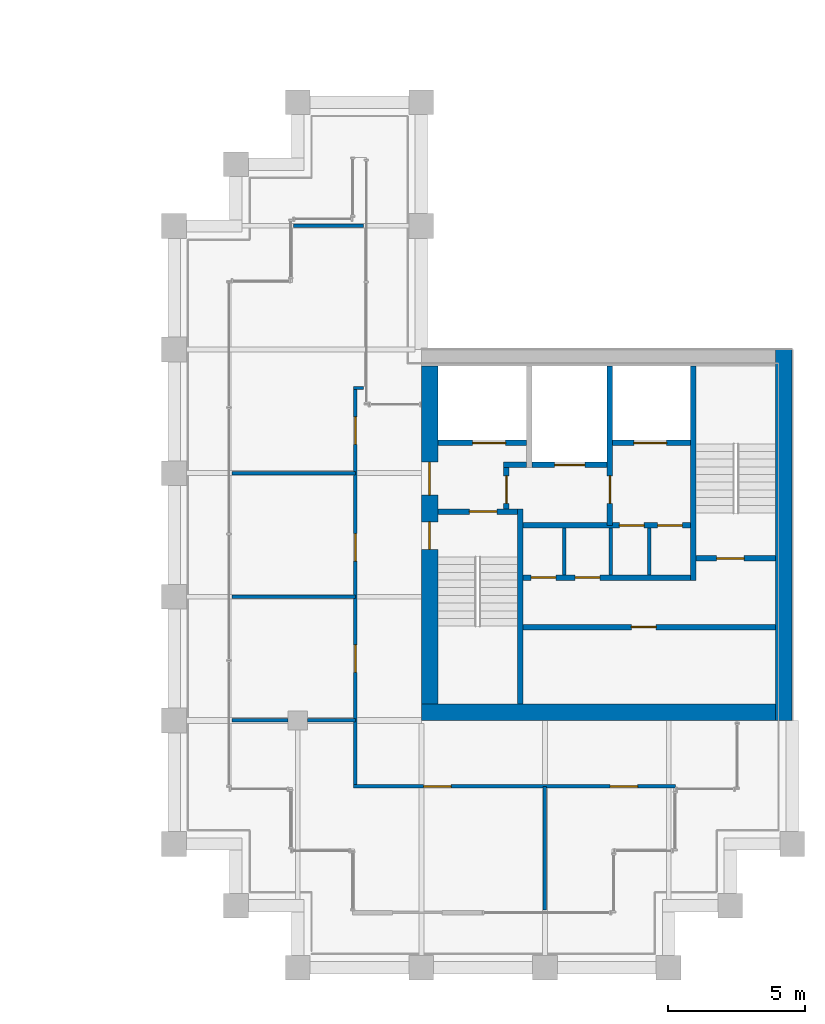
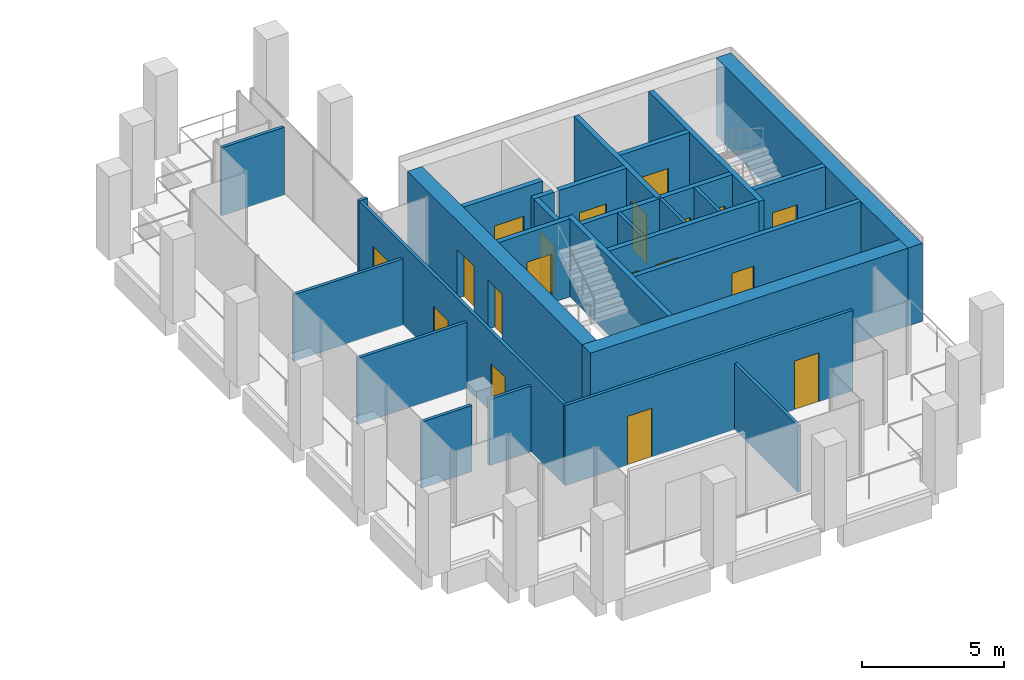
# One storey, part 38 of 40: 28 walls, 19 doors, 19 openings.
"""IFC4 building model written with IfcOpenShell, lengths in metres."""

from ifc_helpers import new_model, si_unit, direction, frame, frame_2d, origin, place, context, subcontext, project, spatial, rectangle, extrude, material, layer, layer_set, type_object, element, fill, save


model = new_model("IFC4")

# Units and contexts
model_context = context("Model", 3, precision=1e-05, world=origin(), true_north=direction((0.0, 1.0)))
body_context = subcontext(model_context, "Body", "Model", "MODEL_VIEW")
ifc_project = project(units=[si_unit("LENGTHUNIT", "METRE"), si_unit("AREAUNIT", "SQUARE_METRE"), si_unit("VOLUMEUNIT", "CUBIC_METRE"), si_unit("PLANEANGLEUNIT", "RADIAN"), si_unit("MASSUNIT", "GRAM", prefix="KILO")], contexts=[model_context])

# Site, building, storey
site_placement = place(None, origin())
site = spatial("IfcSite", under=ifc_project, at=site_placement, CompositionType="ELEMENT")
building_placement = place(site_placement, origin())
building = spatial("IfcBuilding", under=site, at=building_placement, Name="Altepetl Exchange Towers", CompositionType="ELEMENT")
storey_placement = place(building_placement, frame((0.0, 0.0, 179.800048828125)))
storey = spatial("IfcBuildingStorey", under=building, at=storey_placement, Name="L45", CompositionType="ELEMENT", Elevation=179.800048828125)

# Wall
ifc_material_1 = material(Name="Concrete C70/85", Category="concrete")
ifc_layer_1 = layer(ifc_material_1, 0.60009765625)
ifc_layer_set_1 = layer_set([ifc_layer_1], Name="Concrete C70/85")
wall_type_1 = type_object("IfcWallType", Name="Core wall 600 reinforced concrete", PredefinedType="SHEAR", material=ifc_layer_set_1)
wall_1_placement = place(storey_placement, frame((103.5, 36.300048828125, 0.0)))
element("IfcWall", 1, at=wall_1_placement, inside=storey, type_object=wall_type_1, Name="wall:B:L45:K-coreS", PredefinedType="SHEAR", context=body_context, shape_type="SweptSolid", body=[
    extrude(rectangle(XDim=12.89990234375, YDim=0.60009765625, at=frame_2d((6.449951171875, 0.0))), origin(), (0.0, 0.0, 1.0), 3.349853515625),
])

# Wall, openings, doors
wall_2_placement = place(storey_placement, frame((103.800048828125, 36.60009765625, 0.0), z_axis=(0.0, 0.0, 1.0), x_axis=(0.0, 1.0, 0.0)))
wall_2 = element("IfcWall", 2, at=wall_2_placement, inside=storey, type_object=wall_type_1, Name="wall:B:L45:K-coreW", PredefinedType="SHEAR", context=body_context, shape_type="SweptSolid", body=[
    extrude(rectangle(XDim=12.2998046875, YDim=0.60009765625, at=frame_2d((6.14990234375, 0.0))), origin(), (0.0, 0.0, 1.0), 3.349853515625),
])
opening_1_placement = place(wall_2_placement, frame((7.60009765625, 0.0, 0.0)))
opening_1 = element("IfcOpeningElement", 3, at=opening_1_placement, cuts=wall_2, Name="Opening L45.B60", PredefinedType="OPENING", context=body_context, shape_type="SweptSolid", body=[
    extrude(rectangle(XDim=1.199951171875, YDim=2.10009765625, at=frame_2d((0.60009765625, 1.050048828125))), frame((0.0, 0.31005859375, 0.0), z_axis=(0.0, -1.0, 0.0), x_axis=(1.0, 0.0, 0.0)), (0.0, 0.0, 1.0), 0.6201171875),
])
opening_2_placement = place(wall_2_placement, frame((5.625, 0.0, 0.0)))
opening_2 = element("IfcOpeningElement", 4, at=opening_2_placement, cuts=wall_2, Name="Opening L45.B62", PredefinedType="OPENING", context=body_context, shape_type="SweptSolid", body=[
    extrude(rectangle(XDim=1.0, YDim=2.10009765625, at=frame_2d((0.5, 1.050048828125))), frame((0.0, 0.31005859375, 0.0), z_axis=(0.0, -1.0, 0.0), x_axis=(1.0, 0.0, 0.0)), (0.0, 0.0, 1.0), 0.6201171875),
])
ifc_material_2 = material(Name="Steel and timber fire door", Category="steel")
door_type_1 = type_object("IfcDoorType", Name="Fire door 1000 x 2100 stair and lobby", OperationType="SINGLE_SWING_LEFT", PredefinedType="DOOR", material=ifc_material_2)
door_1_placement = place(opening_2_placement, frame((1.0, 0.0, 0.0), x_axis=(-1.0, 0.0, 0.0)))
door_1 = element("IfcDoor", 5, at=door_1_placement, inside=storey, type_object=door_type_1, Name="door:B:L45:K-dS1x", OperationType="SINGLE_SWING_RIGHT", OverallHeight=2.10009765625, OverallWidth=1.0, PredefinedType="DOOR", context=body_context, shape_type="SweptSolid", body=[
    extrude(rectangle(XDim=1.0, YDim=2.10009765625, at=frame_2d((0.5, 1.050048828125))), frame((0.0, 0.02490234375, 0.0), z_axis=(0.0, -1.0, 0.0), x_axis=(1.0, 0.0, 0.0)), (0.0, 0.0, 1.0), 0.050048828125),
])
fill(opening_2, door_1)
door_type_2 = type_object("IfcDoorType", Name="Fire door 1200 x 2100 lobby entry", OperationType="SINGLE_SWING_LEFT", PredefinedType="DOOR", material=ifc_material_2)
door_2_placement = place(opening_1_placement, frame((1.199951171875, 0.0, 0.0), x_axis=(-1.0, 0.0, 0.0)))
door_2 = element("IfcDoor", 6, at=door_2_placement, inside=storey, type_object=door_type_2, Name="door:B:L45:K-dLNW", OperationType="SINGLE_SWING_RIGHT", OverallHeight=2.10009765625, OverallWidth=1.199951171875, PredefinedType="DOOR", context=body_context, shape_type="SweptSolid", body=[
    extrude(rectangle(XDim=1.199951171875, YDim=2.10009765625, at=frame_2d((0.60009765625, 1.050048828125))), frame((0.0, 0.02490234375, 0.0), z_axis=(0.0, -1.0, 0.0), x_axis=(1.0, 0.0, 0.0)), (0.0, 0.0, 1.0), 0.050048828125),
])
fill(opening_1, door_2)

# Walls
ifc_layer_2 = layer(ifc_material_1, 0.60009765625)
ifc_layer_set_2 = layer_set([ifc_layer_2], Name="Concrete C70/85")
wall_type_2 = type_object("IfcWallType", Name="Core wall 600 reinforced concrete external", PredefinedType="SHEAR", material=ifc_layer_set_2)
wall_3_placement = place(storey_placement, frame((116.699951171875, 36.0, 0.0), z_axis=(0.0, 0.0, 1.0), x_axis=(0.0, 1.0, 0.0)))
element("IfcWall", 7, at=wall_3_placement, inside=storey, type_object=wall_type_2, Name="wall:B:L45:K-coreE", PredefinedType="SHEAR", context=body_context, shape_type="SweptSolid", body=[
    extrude(rectangle(XDim=13.5, YDim=0.60009765625, at=frame_2d((6.75, 0.0))), origin(), (0.0, 0.0, 1.0), 3.349853515625),
])
ifc_material_3 = material(Name="Concrete blockwork", Category="masonry")
ifc_layer_3 = layer(ifc_material_3, 0.199951171875)
ifc_layer_set_3 = layer_set([ifc_layer_3], Name="Concrete blockwork")
wall_type_3 = type_object("IfcWallType", Name="Lobby wall 200 blockwork", PredefinedType="PARTITIONING", material=ifc_layer_set_3)
wall_4_placement = place(storey_placement, frame((106.5, 45.300048828125, 0.0)))
element("IfcWall", 8, at=wall_4_placement, inside=storey, type_object=wall_type_3, Name="wall:B:L45:K-ffNw", PredefinedType="PARTITIONING", context=body_context, shape_type="SweptSolid", body=[
    extrude(rectangle(XDim=0.833251953125, YDim=0.199951171875, at=frame_2d((0.41650390625, 0.0))), origin(), (0.0, 0.0, 1.0), 3.349853515625),
])

# Wall, opening, door
wall_5_placement = place(storey_placement, frame((106.60009765625, 43.699951171875, 0.0), z_axis=(0.0, 0.0, 1.0), x_axis=(0.0, 1.0, 0.0)))
wall_5 = element("IfcWall", 9, at=wall_5_placement, inside=storey, type_object=wall_type_3, Name="wall:B:L45:K-ffW", PredefinedType="PARTITIONING", context=body_context, shape_type="SweptSolid", body=[
    extrude(rectangle(XDim=1.5, YDim=0.199951171875, at=frame_2d((0.75, 0.0))), origin(), (0.0, 0.0, 1.0), 3.349853515625),
])
opening_3_placement = place(wall_5_placement, frame((0.199951171875, 0.0, 0.0)))
opening_3 = element("IfcOpeningElement", 10, at=opening_3_placement, cuts=wall_5, Name="Opening L45.B65", PredefinedType="OPENING", context=body_context, shape_type="SweptSolid", body=[
    extrude(rectangle(XDim=1.0, YDim=2.10009765625, at=frame_2d((0.5, 1.050048828125))), frame((0.0, 0.10986328125, 0.0), z_axis=(0.0, -1.0, 0.0), x_axis=(1.0, 0.0, 0.0)), (0.0, 0.0, 1.0), 0.219970703125),
])
door_3_placement = place(opening_3_placement, frame((1.0, 0.0, 0.0), x_axis=(-1.0, 0.0, 0.0)))
door_3 = element("IfcDoor", 11, at=door_3_placement, inside=storey, type_object=door_type_1, Name="door:B:L45:K-dffW", OperationType="SINGLE_SWING_LEFT", OverallHeight=2.10009765625, OverallWidth=1.0, PredefinedType="DOOR", context=body_context, shape_type="SweptSolid", body=[
    extrude(rectangle(XDim=1.0, YDim=2.10009765625, at=frame_2d((0.5, 1.050048828125))), frame((0.0, 0.02490234375, 0.0), z_axis=(0.0, -1.0, 0.0), x_axis=(1.0, 0.0, 0.0)), (0.0, 0.0, 1.0), 0.050048828125),
])
fill(opening_3, door_3)

# Wall, openings, doors
wall_6_placement = place(storey_placement, frame((107.199951171875, 43.10009765625, 0.0)))
wall_6 = element("IfcWall", 12, at=wall_6_placement, inside=storey, type_object=wall_type_3, Name="wall:B:L45:K-zoneN", PredefinedType="PARTITIONING", context=body_context, shape_type="SweptSolid", body=[
    extrude(rectangle(XDim=6.10009765625, YDim=0.199951171875, at=frame_2d((3.050048828125, 0.0))), origin(), (0.0, 0.0, 1.0), 3.349853515625),
])
opening_4_placement = place(wall_6_placement, frame((3.508544921875, 0.0, 0.0)))
opening_4 = element("IfcOpeningElement", 13, at=opening_4_placement, cuts=wall_6, Name="Opening L45.B69", PredefinedType="OPENING", context=body_context, shape_type="SweptSolid", body=[
    extrude(rectangle(XDim=0.89990234375, YDim=2.10009765625, at=frame_2d((0.449951171875, 1.050048828125))), frame((0.0, 0.10986328125, 0.0), z_axis=(0.0, -1.0, 0.0), x_axis=(1.0, 0.0, 0.0)), (0.0, 0.0, 1.0), 0.219970703125),
])
opening_5_placement = place(wall_6_placement, frame((4.89990234375, 0.0, 0.0)))
opening_5 = element("IfcOpeningElement", 14, at=opening_5_placement, cuts=wall_6, Name="Opening L45.B70", PredefinedType="OPENING", context=body_context, shape_type="SweptSolid", body=[
    extrude(rectangle(XDim=0.89990234375, YDim=2.10009765625, at=frame_2d((0.449951171875, 1.050048828125))), frame((0.0, 0.10986328125, 0.0), z_axis=(0.0, -1.0, 0.0), x_axis=(1.0, 0.0, 0.0)), (0.0, 0.0, 1.0), 0.219970703125),
])
door_type_3 = type_object("IfcDoorType", Name="Fire door 900 x 2100 service room", OperationType="SINGLE_SWING_LEFT", PredefinedType="DOOR", material=ifc_material_2)
door_4_placement = place(opening_4_placement, frame((0.89990234375, 0.0, 0.0), x_axis=(-1.0, 0.0, 0.0)))
door_4 = element("IfcDoor", 15, at=door_4_placement, inside=storey, type_object=door_type_3, Name="door:B:L45:K-dz3", OperationType="SINGLE_SWING_RIGHT", OverallHeight=2.10009765625, OverallWidth=0.89990234375, PredefinedType="DOOR", context=body_context, shape_type="SweptSolid", body=[
    extrude(rectangle(XDim=0.89990234375, YDim=2.10009765625, at=frame_2d((0.449951171875, 1.050048828125))), frame((0.0, 0.02490234375, 0.0), z_axis=(0.0, -1.0, 0.0), x_axis=(1.0, 0.0, 0.0)), (0.0, 0.0, 1.0), 0.050048828125),
])
fill(opening_4, door_4)
door_5_placement = place(opening_5_placement, frame((0.89990234375, 0.0, 0.0), x_axis=(-1.0, 0.0, 0.0)))
door_5 = element("IfcDoor", 16, at=door_5_placement, inside=storey, type_object=door_type_3, Name="door:B:L45:K-dz4", OperationType="SINGLE_SWING_LEFT", OverallHeight=2.10009765625, OverallWidth=0.89990234375, PredefinedType="DOOR", context=body_context, shape_type="SweptSolid", body=[
    extrude(rectangle(XDim=0.89990234375, YDim=2.10009765625, at=frame_2d((0.449951171875, 1.050048828125))), frame((0.0, 0.02490234375, 0.0), z_axis=(0.0, -1.0, 0.0), x_axis=(1.0, 0.0, 0.0)), (0.0, 0.0, 1.0), 0.050048828125),
])
fill(opening_5, door_5)

wall_7_placement = place(storey_placement, frame((107.199951171875, 41.199951171875, 0.0)))
wall_7 = element("IfcWall", 17, at=wall_7_placement, inside=storey, type_object=wall_type_3, Name="wall:B:L45:K-zoneS", PredefinedType="PARTITIONING", context=body_context, shape_type="SweptSolid", body=[
    extrude(rectangle(XDim=6.10009765625, YDim=0.199951171875, at=frame_2d((3.050048828125, 0.0))), origin(), (0.0, 0.0, 1.0), 3.349853515625),
])
opening_6_placement = place(wall_7_placement, frame((0.300048828125, 0.0, 0.0)))
opening_6 = element("IfcOpeningElement", 18, at=opening_6_placement, cuts=wall_7, Name="Opening L45.B67", PredefinedType="OPENING", context=body_context, shape_type="SweptSolid", body=[
    extrude(rectangle(XDim=0.89990234375, YDim=2.10009765625, at=frame_2d((0.449951171875, 1.050048828125))), frame((0.0, 0.10986328125, 0.0), z_axis=(0.0, -1.0, 0.0), x_axis=(1.0, 0.0, 0.0)), (0.0, 0.0, 1.0), 0.219970703125),
])
opening_7_placement = place(wall_7_placement, frame((1.89990234375, 0.0, 0.0)))
opening_7 = element("IfcOpeningElement", 19, at=opening_7_placement, cuts=wall_7, Name="Opening L45.B68", PredefinedType="OPENING", context=body_context, shape_type="SweptSolid", body=[
    extrude(rectangle(XDim=0.89990234375, YDim=2.10009765625, at=frame_2d((0.449951171875, 1.050048828125))), frame((0.0, 0.10986328125, 0.0), z_axis=(0.0, -1.0, 0.0), x_axis=(1.0, 0.0, 0.0)), (0.0, 0.0, 1.0), 0.219970703125),
])
door_6_placement = place(opening_6_placement, origin())
door_6 = element("IfcDoor", 20, at=door_6_placement, inside=storey, type_object=door_type_3, Name="door:B:L45:K-dz1", OperationType="SINGLE_SWING_RIGHT", OverallHeight=2.10009765625, OverallWidth=0.89990234375, PredefinedType="DOOR", context=body_context, shape_type="SweptSolid", body=[
    extrude(rectangle(XDim=0.89990234375, YDim=2.10009765625, at=frame_2d((0.449951171875, 1.050048828125))), frame((0.0, 0.02490234375, 0.0), z_axis=(0.0, -1.0, 0.0), x_axis=(1.0, 0.0, 0.0)), (0.0, 0.0, 1.0), 0.050048828125),
])
fill(opening_6, door_6)
door_7_placement = place(opening_7_placement, origin())
door_7 = element("IfcDoor", 21, at=door_7_placement, inside=storey, type_object=door_type_3, Name="door:B:L45:K-dz2", OperationType="SINGLE_SWING_RIGHT", OverallHeight=2.10009765625, OverallWidth=0.89990234375, PredefinedType="DOOR", context=body_context, shape_type="SweptSolid", body=[
    extrude(rectangle(XDim=0.89990234375, YDim=2.10009765625, at=frame_2d((0.449951171875, 1.050048828125))), frame((0.0, 0.02490234375, 0.0), z_axis=(0.0, -1.0, 0.0), x_axis=(1.0, 0.0, 0.0)), (0.0, 0.0, 1.0), 0.050048828125),
])
fill(opening_7, door_7)

# Walls
ifc_material_4 = material(Name="Gypsum board on steel studs", Category="steel")
ifc_layer_4 = layer(ifc_material_4, 0.125)
ifc_layer_set_4 = layer_set([ifc_layer_4], Name="Gypsum board on steel studs")
wall_type_4 = type_object("IfcWallType", Name="Partition 125 gypsum board on steel studs", PredefinedType="PARTITIONING", material=ifc_layer_set_4)
for number, where, z_axis, x_axis, name in (
    (22, (108.699951171875, 41.300048828125, 0.0), (0.0, 0.0, 1.0), (0.0, 1.0, 0.0), "wall:B:L45:K-zp1"),
    (23, (110.39990234375, 41.300048828125, 0.0), (0.0, 0.0, 1.0), (0.0, 1.0, 0.0), "wall:B:L45:K-zp2"),
    (24, (111.800048828125, 41.300048828125, 0.0), (0.0, 0.0, 1.0), (0.0, 1.0, 0.0), "wall:B:L45:K-zp3"),
):
    element("IfcWall", number, at=place(storey_placement, frame(where, z_axis=z_axis, x_axis=x_axis)), inside=storey, type_object=wall_type_4, Name=name, PredefinedType="PARTITIONING", context=body_context, shape_type="SweptSolid", body=[
        extrude(rectangle(XDim=1.699951171875, YDim=0.125, at=frame_2d((0.85009765625, 0.0))), origin(), (0.0, 0.0, 1.0), 3.349853515625),
    ])

# Wall, openings, doors
wall_8_placement = place(storey_placement, frame((101.03759765625, 33.60009765625, 0.0)))
wall_8 = element("IfcWall", 25, at=wall_8_placement, inside=storey, type_object=wall_type_4, Name="wall:B:L45:P01", PredefinedType="PARTITIONING", context=body_context, shape_type="SweptSolid", body=[
    extrude(rectangle(XDim=11.71240234375, YDim=0.125, at=frame_2d((5.856201171875, 0.0))), origin(), (0.0, 0.0, 1.0), 3.449951171875),
])
opening_8_placement = place(wall_8_placement, frame((2.54248046875, 0.0, 0.0)))
opening_8 = element("IfcOpeningElement", 26, at=opening_8_placement, cuts=wall_8, Name="Opening L45.B02", PredefinedType="OPENING", context=body_context, shape_type="SweptSolid", body=[
    extrude(rectangle(XDim=1.0, YDim=2.10009765625, at=frame_2d((0.5, 1.050048828125))), frame((0.0, 0.072509765625, 0.0), z_axis=(0.0, -1.0, 0.0), x_axis=(1.0, 0.0, 0.0)), (0.0, 0.0, 1.0), 0.14501953125),
])
opening_9_placement = place(wall_8_placement, frame((9.33642578125, 0.0, 0.0)))
opening_9 = element("IfcOpeningElement", 27, at=opening_9_placement, cuts=wall_8, Name="Opening L45.B03", PredefinedType="OPENING", context=body_context, shape_type="SweptSolid", body=[
    extrude(rectangle(XDim=1.0, YDim=2.10009765625, at=frame_2d((0.5, 1.050048828125))), frame((0.0, 0.072509765625, 0.0), z_axis=(0.0, -1.0, 0.0), x_axis=(1.0, 0.0, 0.0)), (0.0, 0.0, 1.0), 0.14501953125),
])
door_type_4 = type_object("IfcDoorType", Name="Fire door 1000 x 2100 single leaf", OperationType="SINGLE_SWING_LEFT", PredefinedType="DOOR", material=ifc_material_2)
door_8_placement = place(opening_8_placement, frame((1.0, 0.0, 0.0), x_axis=(-1.0, 0.0, 0.0)))
door_8 = element("IfcDoor", 28, at=door_8_placement, inside=storey, type_object=door_type_4, Name="door:B:L45:02", OperationType="SINGLE_SWING_LEFT", OverallHeight=2.10009765625, OverallWidth=1.0, PredefinedType="DOOR", context=body_context, shape_type="SweptSolid", body=[
    extrude(rectangle(XDim=1.0, YDim=2.10009765625, at=frame_2d((0.5, 1.050048828125))), frame((0.0, 0.02490234375, 0.0), z_axis=(0.0, -1.0, 0.0), x_axis=(1.0, 0.0, 0.0)), (0.0, 0.0, 1.0), 0.050048828125),
])
fill(opening_8, door_8)
door_9_placement = place(opening_9_placement, frame((1.0, 0.0, 0.0), x_axis=(-1.0, 0.0, 0.0)))
door_9 = element("IfcDoor", 29, at=door_9_placement, inside=storey, type_object=door_type_4, Name="door:B:L45:03", OperationType="SINGLE_SWING_LEFT", OverallHeight=2.10009765625, OverallWidth=1.0, PredefinedType="DOOR", context=body_context, shape_type="SweptSolid", body=[
    extrude(rectangle(XDim=1.0, YDim=2.10009765625, at=frame_2d((0.5, 1.050048828125))), frame((0.0, 0.02490234375, 0.0), z_axis=(0.0, -1.0, 0.0), x_axis=(1.0, 0.0, 0.0)), (0.0, 0.0, 1.0), 0.050048828125),
])
fill(opening_9, door_9)

# Walls
wall_9_placement = place(storey_placement, frame((96.60009765625, 36.0, 0.0)))
element("IfcWall", 30, at=wall_9_placement, inside=storey, type_object=wall_type_4, Name="wall:B:L45:P02", PredefinedType="PARTITIONING", context=body_context, shape_type="SweptSolid", body=[
    extrude(rectangle(XDim=2.0498046875, YDim=0.125, at=frame_2d((1.02490234375, 0.0))), origin(), (0.0, 0.0, 1.0), 2.842041015625),
])
wall_10_placement = place(storey_placement, frame((99.35009765625, 36.0, 0.0)))
element("IfcWall", 31, at=wall_10_placement, inside=storey, type_object=wall_type_4, Name="wall:B:L45:P03", PredefinedType="PARTITIONING", context=body_context, shape_type="SweptSolid", body=[
    extrude(rectangle(XDim=1.75, YDim=0.125, at=frame_2d((0.875, 0.0))), origin(), (0.0, 0.0, 1.0), 2.842041015625),
])
for number, where, name in (
    (32, (96.60009765625, 40.5, 0.0), "wall:B:L45:P04"),
    (33, (96.60009765625, 45.0, 0.0), "wall:B:L45:P05"),
):
    element("IfcWall", number, at=place(storey_placement, frame(where)), inside=storey, type_object=wall_type_4, Name=name, PredefinedType="PARTITIONING", context=body_context, shape_type="SweptSolid", body=[
        extrude(rectangle(XDim=4.5, YDim=0.125, at=frame_2d((2.25, 0.0))), origin(), (0.0, 0.0, 1.0), 2.850830078125),
    ])
wall_11_placement = place(storey_placement, frame((101.03759765625, 48.10009765625, 0.0)))
element("IfcWall", 34, at=wall_11_placement, inside=storey, type_object=wall_type_4, Name="wall:B:L45:P06", PredefinedType="PARTITIONING", context=body_context, shape_type="SweptSolid", body=[
    extrude(rectangle(XDim=0.3623046875, YDim=0.125, at=frame_2d((0.18115234375, 0.0))), origin(), (0.0, 0.0, 1.0), 3.449951171875),
])
wall_12_placement = place(storey_placement, frame((98.85009765625, 54.0, 0.0)))
element("IfcWall", 35, at=wall_12_placement, inside=storey, type_object=wall_type_4, Name="wall:B:L45:P07", PredefinedType="PARTITIONING", context=body_context, shape_type="SweptSolid", body=[
    extrude(rectangle(XDim=2.5498046875, YDim=0.125, at=frame_2d((1.27490234375, 0.0))), origin(), (0.0, 0.0, 1.0), 2.9208984375),
])

# Wall, openings, doors
wall_13_placement = place(storey_placement, frame((101.10009765625, 33.66259765625, 0.0), z_axis=(0.0, 0.0, 1.0), x_axis=(0.0, 1.0, 0.0)))
wall_13 = element("IfcWall", 36, at=wall_13_placement, inside=storey, type_object=wall_type_4, Name="wall:B:L45:P08", PredefinedType="PARTITIONING", context=body_context, shape_type="SweptSolid", body=[
    extrude(rectangle(XDim=14.375, YDim=0.125, at=frame_2d((7.1875, 0.0))), origin(), (0.0, 0.0, 1.0), 3.449951171875),
])
opening_10_placement = place(wall_13_placement, frame((4.08740234375, 0.0, 0.0)))
opening_10 = element("IfcOpeningElement", 37, at=opening_10_placement, cuts=wall_13, Name="Opening L45.B01", PredefinedType="OPENING", context=body_context, shape_type="SweptSolid", body=[
    extrude(rectangle(XDim=1.0, YDim=2.10009765625, at=frame_2d((0.5, 1.050048828125))), frame((0.0, 0.072509765625, 0.0), z_axis=(0.0, -1.0, 0.0), x_axis=(1.0, 0.0, 0.0)), (0.0, 0.0, 1.0), 0.14501953125),
])
opening_11_placement = place(wall_13_placement, frame((12.387451171875, 0.0, 0.0)))
opening_11 = element("IfcOpeningElement", 38, at=opening_11_placement, cuts=wall_13, Name="Opening L45.B04", PredefinedType="OPENING", context=body_context, shape_type="SweptSolid", body=[
    extrude(rectangle(XDim=1.0, YDim=2.10009765625, at=frame_2d((0.5, 1.050048828125))), frame((0.0, 0.072509765625, 0.0), z_axis=(0.0, -1.0, 0.0), x_axis=(1.0, 0.0, 0.0)), (0.0, 0.0, 1.0), 0.14501953125),
])
opening_12_placement = place(wall_13_placement, frame((8.132568359375, 0.0, 0.0)))
opening_12 = element("IfcOpeningElement", 39, at=opening_12_placement, cuts=wall_13, Name="Opening L45.B05", PredefinedType="OPENING", context=body_context, shape_type="SweptSolid", body=[
    extrude(rectangle(XDim=1.0, YDim=2.10009765625, at=frame_2d((0.5, 1.050048828125))), frame((0.0, 0.072509765625, 0.0), z_axis=(0.0, -1.0, 0.0), x_axis=(1.0, 0.0, 0.0)), (0.0, 0.0, 1.0), 0.14501953125),
])
door_10_placement = place(opening_10_placement, origin())
door_10 = element("IfcDoor", 40, at=door_10_placement, inside=storey, type_object=door_type_4, Name="door:B:L45:01", OperationType="SINGLE_SWING_RIGHT", OverallHeight=2.10009765625, OverallWidth=1.0, PredefinedType="DOOR", context=body_context, shape_type="SweptSolid", body=[
    extrude(rectangle(XDim=1.0, YDim=2.10009765625, at=frame_2d((0.5, 1.050048828125))), frame((0.0, 0.02490234375, 0.0), z_axis=(0.0, -1.0, 0.0), x_axis=(1.0, 0.0, 0.0)), (0.0, 0.0, 1.0), 0.050048828125),
])
fill(opening_10, door_10)
door_11_placement = place(opening_11_placement, origin())
door_11 = element("IfcDoor", 41, at=door_11_placement, inside=storey, type_object=door_type_4, Name="door:B:L45:04", OperationType="SINGLE_SWING_LEFT", OverallHeight=2.10009765625, OverallWidth=1.0, PredefinedType="DOOR", context=body_context, shape_type="SweptSolid", body=[
    extrude(rectangle(XDim=1.0, YDim=2.10009765625, at=frame_2d((0.5, 1.050048828125))), frame((0.0, 0.02490234375, 0.0), z_axis=(0.0, -1.0, 0.0), x_axis=(1.0, 0.0, 0.0)), (0.0, 0.0, 1.0), 0.050048828125),
])
fill(opening_11, door_11)
door_12_placement = place(opening_12_placement, origin())
door_12 = element("IfcDoor", 42, at=door_12_placement, inside=storey, type_object=door_type_4, Name="door:B:L45:05", OperationType="SINGLE_SWING_RIGHT", OverallHeight=2.10009765625, OverallWidth=1.0, PredefinedType="DOOR", context=body_context, shape_type="SweptSolid", body=[
    extrude(rectangle(XDim=1.0, YDim=2.10009765625, at=frame_2d((0.5, 1.050048828125))), frame((0.0, 0.02490234375, 0.0), z_axis=(0.0, -1.0, 0.0), x_axis=(1.0, 0.0, 0.0)), (0.0, 0.0, 1.0), 0.050048828125),
])
fill(opening_12, door_12)

# Wall
wall_14_placement = place(storey_placement, frame((108.0, 29.10009765625, 0.0), z_axis=(0.0, 0.0, 1.0), x_axis=(0.0, 1.0, 0.0)))
element("IfcWall", 43, at=wall_14_placement, inside=storey, type_object=wall_type_4, Name="wall:B:L45:P09", PredefinedType="PARTITIONING", context=body_context, shape_type="SweptSolid", body=[
    extrude(rectangle(XDim=4.5, YDim=0.125, at=frame_2d((2.25, 0.0))), origin(), (0.0, 0.0, 1.0), 2.850830078125),
])

# Wall, opening, door
ifc_material_5 = material(Name="Concrete C40/50", Category="concrete")
ifc_layer_5 = layer(ifc_material_5, 0.199951171875)
ifc_layer_set_5 = layer_set([ifc_layer_5], Name="Concrete C40/50")
wall_type_5 = type_object("IfcWallType", Name="Shaft wall 200 reinforced concrete", PredefinedType="SHEAR", material=ifc_layer_set_5)
wall_15_placement = place(storey_placement, frame((110.36669921875, 48.89990234375, 0.0), z_axis=(0.0, 0.0, 1.0), x_axis=(0.0, -1.0, 0.0)))
wall_15 = element("IfcWall", 44, at=wall_15_placement, inside=storey, type_object=wall_type_5, Name="wall:B:L45:K-divN2", PredefinedType="SHEAR", context=body_context, shape_type="SweptSolid", body=[
    extrude(rectangle(XDim=5.7998046875, YDim=0.199951171875, at=frame_2d((2.89990234375, 0.0))), origin(), (0.0, 0.0, 1.0), 3.349853515625),
])
opening_13_placement = place(wall_15_placement, frame((4.0, 0.0, 0.0)))
opening_13 = element("IfcOpeningElement", 45, at=opening_13_placement, cuts=wall_15, Name="Opening L45.B64", PredefinedType="OPENING", context=body_context, shape_type="SweptSolid", body=[
    extrude(rectangle(XDim=1.0, YDim=2.10009765625, at=frame_2d((0.5, 1.050048828125))), frame((0.0, 0.10986328125, 0.0), z_axis=(0.0, -1.0, 0.0), x_axis=(1.0, 0.0, 0.0)), (0.0, 0.0, 1.0), 0.219970703125),
])
door_13_placement = place(opening_13_placement, frame((1.0, 0.0, 0.0), x_axis=(-1.0, 0.0, 0.0)))
door_13 = element("IfcDoor", 46, at=door_13_placement, inside=storey, type_object=door_type_1, Name="door:B:L45:K-dffE", OperationType="SINGLE_SWING_RIGHT", OverallHeight=2.10009765625, OverallWidth=1.0, PredefinedType="DOOR", context=body_context, shape_type="SweptSolid", body=[
    extrude(rectangle(XDim=1.0, YDim=2.10009765625, at=frame_2d((0.5, 1.050048828125))), frame((0.0, 0.02490234375, 0.0), z_axis=(0.0, -1.0, 0.0), x_axis=(1.0, 0.0, 0.0)), (0.0, 0.0, 1.0), 0.050048828125),
])
fill(opening_13, door_13)

wall_16_placement = place(storey_placement, frame((104.10009765625, 46.10009765625, 0.0)))
wall_16 = element("IfcWall", 47, at=wall_16_placement, inside=storey, type_object=wall_type_5, Name="wall:B:L45:K-frontNa", PredefinedType="SHEAR", context=body_context, shape_type="SweptSolid", body=[
    extrude(rectangle(XDim=3.233154296875, YDim=0.199951171875, at=frame_2d((1.61669921875, 0.0))), origin(), (0.0, 0.0, 1.0), 3.349853515625),
])
opening_14_placement = place(wall_16_placement, frame((1.2666015625, 0.0, 0.0)))
opening_14 = element("IfcOpeningElement", 48, at=opening_14_placement, cuts=wall_16, Name="Opening L45.B72", PredefinedType="OPENING", context=body_context, shape_type="SweptSolid", body=[
    extrude(rectangle(XDim=1.199951171875, YDim=2.10009765625, at=frame_2d((0.60009765625, 1.050048828125))), frame((0.0, 0.10986328125, 0.0), z_axis=(0.0, -1.0, 0.0), x_axis=(1.0, 0.0, 0.0)), (0.0, 0.0, 1.0), 0.219970703125),
])
ifc_material_6 = material(Name="Stainless steel", Category="steel")
door_type_5 = type_object("IfcDoorType", Name="Lift landing door 1200 x 2100", OperationType="SLIDING_TO_LEFT", PredefinedType="DOOR", material=ifc_material_6)
door_14_placement = place(opening_14_placement, origin())
door_14 = element("IfcDoor", 49, at=door_14_placement, inside=storey, type_object=door_type_5, Name="Landing door P4", OperationType="SLIDING_TO_LEFT", OverallHeight=2.10009765625, OverallWidth=1.199951171875, PredefinedType="DOOR", context=body_context, shape_type="SweptSolid", body=[
    extrude(rectangle(XDim=1.199951171875, YDim=2.10009765625, at=frame_2d((0.60009765625, 1.050048828125))), frame((0.0, 0.02490234375, 0.0), z_axis=(0.0, -1.0, 0.0), x_axis=(1.0, 0.0, 0.0)), (0.0, 0.0, 1.0), 0.050048828125),
])
fill(opening_14, door_14)

wall_17_placement = place(storey_placement, frame((110.466796875, 46.10009765625, 0.0)))
wall_17 = element("IfcWall", 50, at=wall_17_placement, inside=storey, type_object=wall_type_5, Name="wall:B:L45:K-frontNb", PredefinedType="SHEAR", context=body_context, shape_type="SweptSolid", body=[
    extrude(rectangle(XDim=2.833251953125, YDim=0.199951171875, at=frame_2d((1.41650390625, 0.0))), origin(), (0.0, 0.0, 1.0), 3.349853515625),
])
opening_15_placement = place(wall_17_placement, frame((0.7666015625, 0.0, 0.0)))
opening_15 = element("IfcOpeningElement", 51, at=opening_15_placement, cuts=wall_17, Name="Opening L45.B73", PredefinedType="OPENING", context=body_context, shape_type="SweptSolid", body=[
    extrude(rectangle(XDim=1.199951171875, YDim=2.10009765625, at=frame_2d((0.60009765625, 1.050048828125))), frame((0.0, 0.10986328125, 0.0), z_axis=(0.0, -1.0, 0.0), x_axis=(1.0, 0.0, 0.0)), (0.0, 0.0, 1.0), 0.219970703125),
])
door_15_placement = place(opening_15_placement, origin())
door_15 = element("IfcDoor", 52, at=door_15_placement, inside=storey, type_object=door_type_5, Name="Landing door P5", OperationType="SLIDING_TO_LEFT", OverallHeight=2.10009765625, OverallWidth=1.199951171875, PredefinedType="DOOR", context=body_context, shape_type="SweptSolid", body=[
    extrude(rectangle(XDim=1.199951171875, YDim=2.10009765625, at=frame_2d((0.60009765625, 1.050048828125))), frame((0.0, 0.02490234375, 0.0), z_axis=(0.0, -1.0, 0.0), x_axis=(1.0, 0.0, 0.0)), (0.0, 0.0, 1.0), 0.050048828125),
])
fill(opening_15, door_15)

wall_18_placement = place(storey_placement, frame((107.533203125, 45.300048828125, 0.0)))
wall_18 = element("IfcWall", 53, at=wall_18_placement, inside=storey, type_object=wall_type_5, Name="wall:B:L45:K-frontNd", PredefinedType="SHEAR", context=body_context, shape_type="SweptSolid", body=[
    extrude(rectangle(XDim=2.7333984375, YDim=0.199951171875, at=frame_2d((1.36669921875, 0.0))), origin(), (0.0, 0.0, 1.0), 3.349853515625),
])
opening_16_placement = place(wall_18_placement, frame((0.816650390625, 0.0, 0.0)))
opening_16 = element("IfcOpeningElement", 54, at=opening_16_placement, cuts=wall_18, Name="Opening L45.B71", PredefinedType="OPENING", context=body_context, shape_type="SweptSolid", body=[
    extrude(rectangle(XDim=1.10009765625, YDim=2.10009765625, at=frame_2d((0.550048828125, 1.050048828125))), frame((0.0, 0.10986328125, 0.0), z_axis=(0.0, -1.0, 0.0), x_axis=(1.0, 0.0, 0.0)), (0.0, 0.0, 1.0), 0.219970703125),
])
door_type_6 = type_object("IfcDoorType", Name="Lift landing door 1100 x 2100", OperationType="SLIDING_TO_LEFT", PredefinedType="DOOR", material=ifc_material_6)
door_16_placement = place(opening_16_placement, origin())
door_16 = element("IfcDoor", 55, at=door_16_placement, inside=storey, type_object=door_type_6, Name="Landing door FFL1", OperationType="SLIDING_TO_LEFT", OverallHeight=2.10009765625, OverallWidth=1.10009765625, PredefinedType="DOOR", context=body_context, shape_type="SweptSolid", body=[
    extrude(rectangle(XDim=1.10009765625, YDim=2.10009765625, at=frame_2d((0.550048828125, 1.050048828125))), frame((0.0, 0.02490234375, 0.0), z_axis=(0.0, -1.0, 0.0), x_axis=(1.0, 0.0, 0.0)), (0.0, 0.0, 1.0), 0.050048828125),
])
fill(opening_16, door_16)

wall_19_placement = place(storey_placement, frame((107.199951171875, 39.39990234375, 0.0)))
wall_19 = element("IfcWall", 56, at=wall_19_placement, inside=storey, type_object=wall_type_5, Name="wall:B:L45:K-frontS", PredefinedType="SHEAR", context=body_context, shape_type="SweptSolid", body=[
    extrude(rectangle(XDim=9.199951171875, YDim=0.199951171875, at=frame_2d((4.60009765625, 0.0))), origin(), (0.0, 0.0, 1.0), 3.349853515625),
])
opening_17_placement = place(wall_19_placement, frame((3.949951171875, 0.0, 0.0)))
opening_17 = element("IfcOpeningElement", 57, at=opening_17_placement, cuts=wall_19, Name="Opening L45.B66", PredefinedType="OPENING", context=body_context, shape_type="SweptSolid", body=[
    extrude(rectangle(XDim=0.89990234375, YDim=2.10009765625, at=frame_2d((0.449951171875, 1.050048828125))), frame((0.0, 0.10986328125, 0.0), z_axis=(0.0, -1.0, 0.0), x_axis=(1.0, 0.0, 0.0)), (0.0, 0.0, 1.0), 0.219970703125),
])
door_17_placement = place(opening_17_placement, frame((0.89990234375, 0.0, 0.0), x_axis=(-1.0, 0.0, 0.0)))
door_17 = element("IfcDoor", 58, at=door_17_placement, inside=storey, type_object=door_type_3, Name="door:B:L45:K-dslotS0", OperationType="SINGLE_SWING_LEFT", OverallHeight=2.10009765625, OverallWidth=0.89990234375, PredefinedType="DOOR", context=body_context, shape_type="SweptSolid", body=[
    extrude(rectangle(XDim=0.89990234375, YDim=2.10009765625, at=frame_2d((0.449951171875, 1.050048828125))), frame((0.0, 0.02490234375, 0.0), z_axis=(0.0, -1.0, 0.0), x_axis=(1.0, 0.0, 0.0)), (0.0, 0.0, 1.0), 0.050048828125),
])
fill(opening_17, door_17)

# Wall
ifc_layer_6 = layer(ifc_material_5, 0.199951171875)
ifc_layer_set_6 = layer_set([ifc_layer_6], Name="Concrete C40/50")
wall_type_6 = type_object("IfcWallType", Name="Stair wall 200 reinforced concrete", PredefinedType="SHEAR", material=ifc_layer_set_6)
wall_20_placement = place(storey_placement, frame((107.10009765625, 36.60009765625, 0.0), z_axis=(0.0, 0.0, 1.0), x_axis=(0.0, 1.0, 0.0)))
element("IfcWall", 59, at=wall_20_placement, inside=storey, type_object=wall_type_6, Name="wall:B:L45:K-stS1E", PredefinedType="SHEAR", context=body_context, shape_type="SweptSolid", body=[
    extrude(rectangle(XDim=7.099853515625, YDim=0.199951171875, at=frame_2d((3.5498046875, 0.0))), origin(), (0.0, 0.0, 1.0), 3.349853515625),
])

# Wall, opening, door
wall_21_placement = place(storey_placement, frame((104.10009765625, 43.60009765625, 0.0)))
wall_21 = element("IfcWall", 60, at=wall_21_placement, inside=storey, type_object=wall_type_6, Name="wall:B:L45:K-stS1N", PredefinedType="SHEAR", context=body_context, shape_type="SweptSolid", body=[
    extrude(rectangle(XDim=2.89990234375, YDim=0.199951171875, at=frame_2d((1.449951171875, 0.0))), origin(), (0.0, 0.0, 1.0), 3.349853515625),
])
opening_18_placement = place(wall_21_placement, frame((1.14990234375, 0.0, 0.0)))
opening_18 = element("IfcOpeningElement", 61, at=opening_18_placement, cuts=wall_21, Name="Opening L45.B61", PredefinedType="OPENING", context=body_context, shape_type="SweptSolid", body=[
    extrude(rectangle(XDim=1.0, YDim=2.10009765625, at=frame_2d((0.5, 1.050048828125))), frame((0.0, 0.10986328125, 0.0), z_axis=(0.0, -1.0, 0.0), x_axis=(1.0, 0.0, 0.0)), (0.0, 0.0, 1.0), 0.219970703125),
])
door_18_placement = place(opening_18_placement, frame((1.0, 0.0, 0.0), x_axis=(-1.0, 0.0, 0.0)))
door_18 = element("IfcDoor", 62, at=door_18_placement, inside=storey, type_object=door_type_1, Name="door:B:L45:K-dS1in", OperationType="SINGLE_SWING_LEFT", OverallHeight=2.10009765625, OverallWidth=1.0, PredefinedType="DOOR", context=body_context, shape_type="SweptSolid", body=[
    extrude(rectangle(XDim=1.0, YDim=2.10009765625, at=frame_2d((0.5, 1.050048828125))), frame((0.0, 0.02490234375, 0.0), z_axis=(0.0, -1.0, 0.0), x_axis=(1.0, 0.0, 0.0)), (0.0, 0.0, 1.0), 0.050048828125),
])
fill(opening_18, door_18)

wall_22_placement = place(storey_placement, frame((113.5, 41.89990234375, 0.0)))
wall_22 = element("IfcWall", 63, at=wall_22_placement, inside=storey, type_object=wall_type_6, Name="wall:B:L45:K-stS2S", PredefinedType="SHEAR", context=body_context, shape_type="SweptSolid", body=[
    extrude(rectangle(XDim=2.89990234375, YDim=0.199951171875, at=frame_2d((1.449951171875, 0.0))), origin(), (0.0, 0.0, 1.0), 3.349853515625),
])
opening_19_placement = place(wall_22_placement, frame((0.75, 0.0, 0.0)))
opening_19 = element("IfcOpeningElement", 64, at=opening_19_placement, cuts=wall_22, Name="Opening L45.B63", PredefinedType="OPENING", context=body_context, shape_type="SweptSolid", body=[
    extrude(rectangle(XDim=1.0, YDim=2.10009765625, at=frame_2d((0.5, 1.050048828125))), frame((0.0, 0.10986328125, 0.0), z_axis=(0.0, -1.0, 0.0), x_axis=(1.0, 0.0, 0.0)), (0.0, 0.0, 1.0), 0.219970703125),
])
door_19_placement = place(opening_19_placement, origin())
door_19 = element("IfcDoor", 65, at=door_19_placement, inside=storey, type_object=door_type_1, Name="door:B:L45:K-dS2in", OperationType="SINGLE_SWING_RIGHT", OverallHeight=2.10009765625, OverallWidth=1.0, PredefinedType="DOOR", context=body_context, shape_type="SweptSolid", body=[
    extrude(rectangle(XDim=1.0, YDim=2.10009765625, at=frame_2d((0.5, 1.050048828125))), frame((0.0, 0.02490234375, 0.0), z_axis=(0.0, -1.0, 0.0), x_axis=(1.0, 0.0, 0.0)), (0.0, 0.0, 1.0), 0.050048828125),
])
fill(opening_19, door_19)

# Wall
wall_23_placement = place(storey_placement, frame((113.39990234375, 41.10009765625, 0.0), z_axis=(0.0, 0.0, 1.0), x_axis=(0.0, 1.0, 0.0)))
element("IfcWall", 66, at=wall_23_placement, inside=storey, type_object=wall_type_6, Name="wall:B:L45:K-stS2W", PredefinedType="SHEAR", context=body_context, shape_type="SweptSolid", body=[
    extrude(rectangle(XDim=7.7998046875, YDim=0.199951171875, at=frame_2d((3.89990234375, 0.0))), origin(), (0.0, 0.0, 1.0), 3.349853515625),
])

save(model, "model.ifc")
